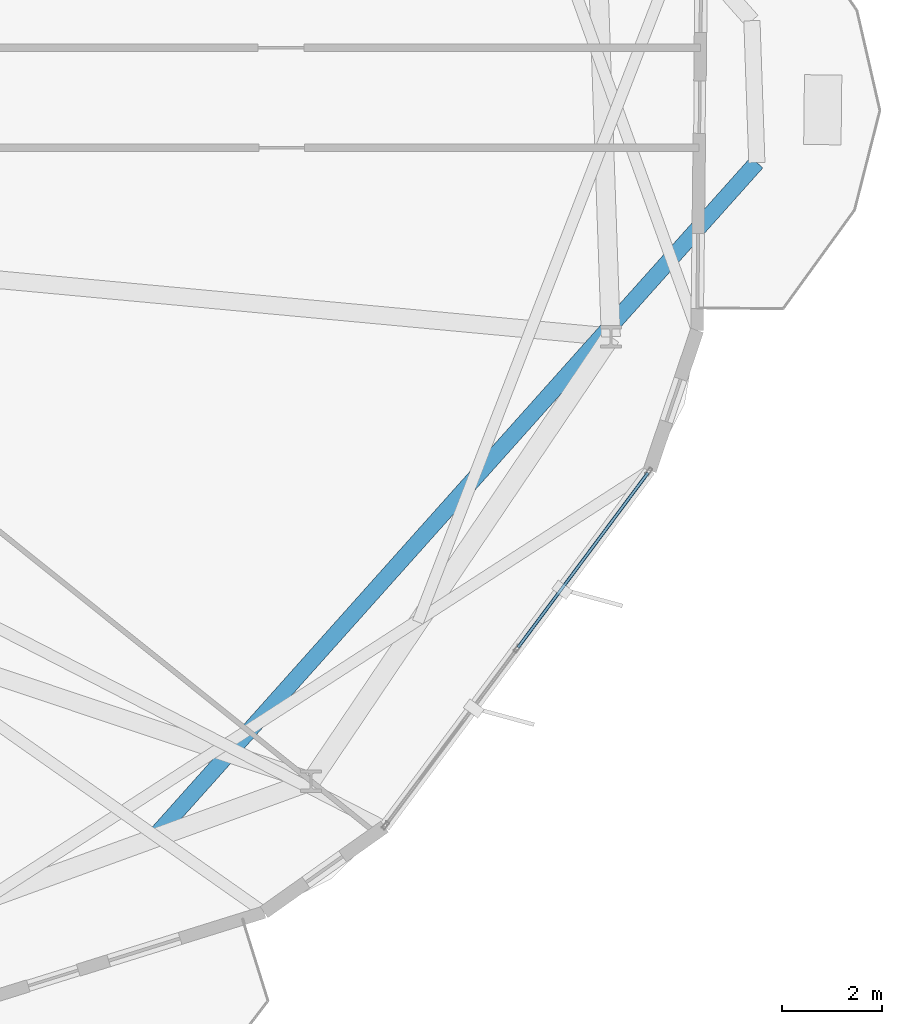
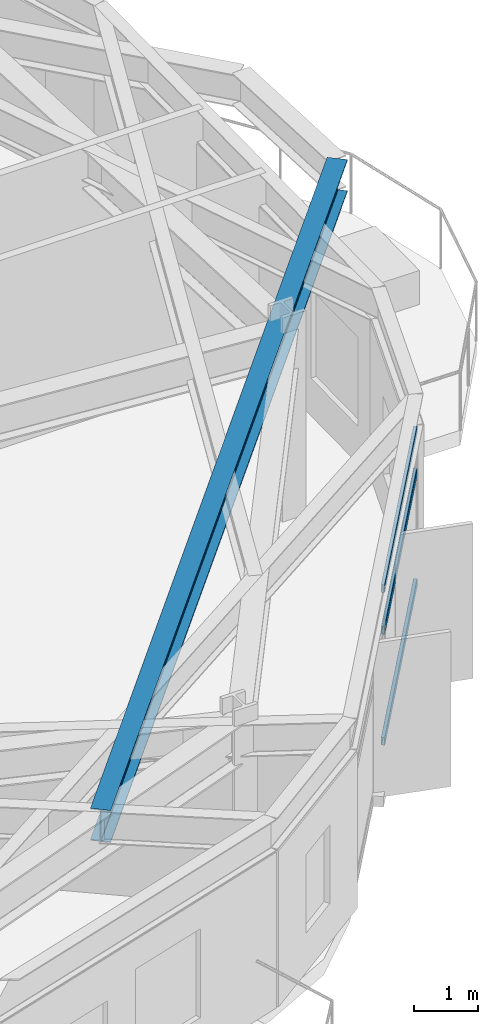
# One storey, part 12 of 27: 3 members, 1 beam, 1 element without a shape of its own.
"""IFC4 building model written with IfcOpenShell, lengths in metres."""

from ifc_helpers import new_model, si_unit, direction, frame, origin, origin_2d, place, context, subcontext, project, spatial, hollow_rectangle, i_section, extrude, material, layer, layer_set, material_profile, profile_set, type_object, element, aggregate, save


model = new_model("IFC4")

# Units and contexts
model_context = context("Model", 3, precision=1e-05, world=origin(), true_north=direction((0.0, 1.0)))
body_context = subcontext(model_context, "Body", "Model", "MODEL_VIEW")
ifc_project = project(units=[si_unit("LENGTHUNIT", "METRE"), si_unit("AREAUNIT", "SQUARE_METRE"), si_unit("VOLUMEUNIT", "CUBIC_METRE"), si_unit("PLANEANGLEUNIT", "RADIAN"), si_unit("MASSUNIT", "GRAM", prefix="KILO")], contexts=[model_context])

# Site, building, storey
site_placement = place(None, origin())
site = spatial("IfcSite", under=ifc_project, at=site_placement, CompositionType="ELEMENT")
building_placement = place(site_placement, origin())
building = spatial("IfcBuilding", under=site, at=building_placement, Name="Soratama Intermodal Tower", CompositionType="ELEMENT")
storey_placement = place(building_placement, frame((0.0, 0.0, 95.199951171875)))
storey = spatial("IfcBuildingStorey", under=building, at=storey_placement, Name="L22", CompositionType="ELEMENT", Elevation=95.199951171875)

# Beam
ifc_material_1 = material(Name="Structural steel ASTM A992 Grade 50", Category="steel")
ifc_material_profile_1 = material_profile(ifc_material_1, i_section(OverallWidth=0.324951171875, OverallDepth=0.615966796875, WebThickness=0.013916015625, FlangeThickness=0.021484375, FilletRadius=0.013916015625, at=origin_2d()), Name="W24X117")
ifc_profile_set_1 = profile_set([ifc_material_profile_1], Name="Structural steel ASTM A992 Grade 50")
beam_type = type_object("IfcBeamType", Name="BM-CANT-W24X117", PredefinedType="BEAM", material=ifc_profile_set_1)
beam_placement = place(storey_placement, frame((52.555908203125, 10.159912109375, 3.2919921875), z_axis=(0.666316032279, 0.74566946104, 0.0), x_axis=(-0.74566946104, 0.666316032279, 0.0)))
element("IfcBeam", 1, at=beam_placement, inside=storey, type_object=beam_type, Name="BM-L22-CANT-1-1", PredefinedType="BEAM", context=body_context, shape_type="SweptSolid", body=[
    extrude(i_section(OverallWidth=0.324951171875, OverallDepth=0.615966796875, WebThickness=0.013916015625, FlangeThickness=0.021484375, FilletRadius=0.013916015625, at=origin_2d()), origin(), (0.0, 0.0, 1.0), 18.158203125),
])

# Curtain wall, members
ifc_material_2 = material(Name="Double-glazed aluminium curtain wall", Category="aluminium")
ifc_layer = layer(ifc_material_2, 0.159912109375)
ifc_layer_set = layer_set([ifc_layer], Name="Double-glazed aluminium curtain wall")
curtain_wall_type = type_object("IfcCurtainWallType", Name="CW-SYS-3", PredefinedType="NOTDEFINED", material=ifc_layer_set)
curtain_wall_placement = place(storey_placement, origin())
curtain_wall = element("IfcCurtainWall", 2, at=curtain_wall_placement, inside=storey, type_object=curtain_wall_type, Name="L22 Faceted Curtain Wall F09", PredefinedType="NOTDEFINED")
ifc_material_3 = material(Name="Anodised aluminium AA 6063-T6", Category="aluminium")
ifc_material_profile_2 = material_profile(ifc_material_3, hollow_rectangle(XDim=0.06494140625, YDim=0.14990234375, WallThickness=0.0048828125, InnerFilletRadius=0.0048828125, OuterFilletRadius=0.010009765625, at=origin_2d()), Name="CWT150X65X5")
ifc_profile_set_2 = profile_set([ifc_material_profile_2], Name="Anodised aluminium AA 6063-T6")
member_type = type_object("IfcMemberType", Name="TT-CWT-1", PredefinedType="USERDEFINED", material=ifc_profile_set_2)
member_1_placement = place(storey_placement, frame((59.865478515625, 13.97314453125, 0.030029296875), z_axis=(0.597060166992, 0.802196457853, 0.0), x_axis=(-0.802196457853, 0.597060166992, 0.0)))
member_1 = element("IfcMember", 3, at=member_1_placement, type_object=member_type, Name="CW-3 transom 2.1", ObjectType="TRANSOM", PredefinedType="USERDEFINED", context=body_context, shape_type="SweptSolid", body=[
    extrude(hollow_rectangle(XDim=0.06494140625, YDim=0.14990234375, WallThickness=0.0048828125, InnerFilletRadius=0.0048828125, OuterFilletRadius=0.010009765625, at=origin_2d()), origin(), (0.0, 0.0, 1.0), 4.3642578125),
])
member_2_placement = place(storey_placement, frame((59.865478515625, 13.97314453125, 2.150146484375), z_axis=(0.597060166992, 0.802196457853, 0.0), x_axis=(-0.802196457853, 0.597060166992, 0.0)))
member_2 = element("IfcMember", 4, at=member_2_placement, type_object=member_type, Name="CW-3 transom 2.2", ObjectType="TRANSOM", PredefinedType="USERDEFINED", context=body_context, shape_type="SweptSolid", body=[
    extrude(hollow_rectangle(XDim=0.06494140625, YDim=0.14990234375, WallThickness=0.0048828125, InnerFilletRadius=0.0048828125, OuterFilletRadius=0.010009765625, at=origin_2d()), origin(), (0.0, 0.0, 1.0), 4.3642578125),
])
member_3_placement = place(storey_placement, frame((59.865478515625, 13.97314453125, 2.948974609375), z_axis=(0.597060166992, 0.802196457853, 0.0), x_axis=(-0.802196457853, 0.597060166992, 0.0)))
member_3 = element("IfcMember", 5, at=member_3_placement, type_object=member_type, Name="CW-3 transom 2.3", ObjectType="TRANSOM", PredefinedType="USERDEFINED", context=body_context, shape_type="SweptSolid", body=[
    extrude(hollow_rectangle(XDim=0.06494140625, YDim=0.14990234375, WallThickness=0.0048828125, InnerFilletRadius=0.0048828125, OuterFilletRadius=0.010009765625, at=origin_2d()), origin(), (0.0, 0.0, 1.0), 4.3642578125),
])
aggregate(curtain_wall, [member_1, member_2, member_3])

save(model, "model.ifc")
